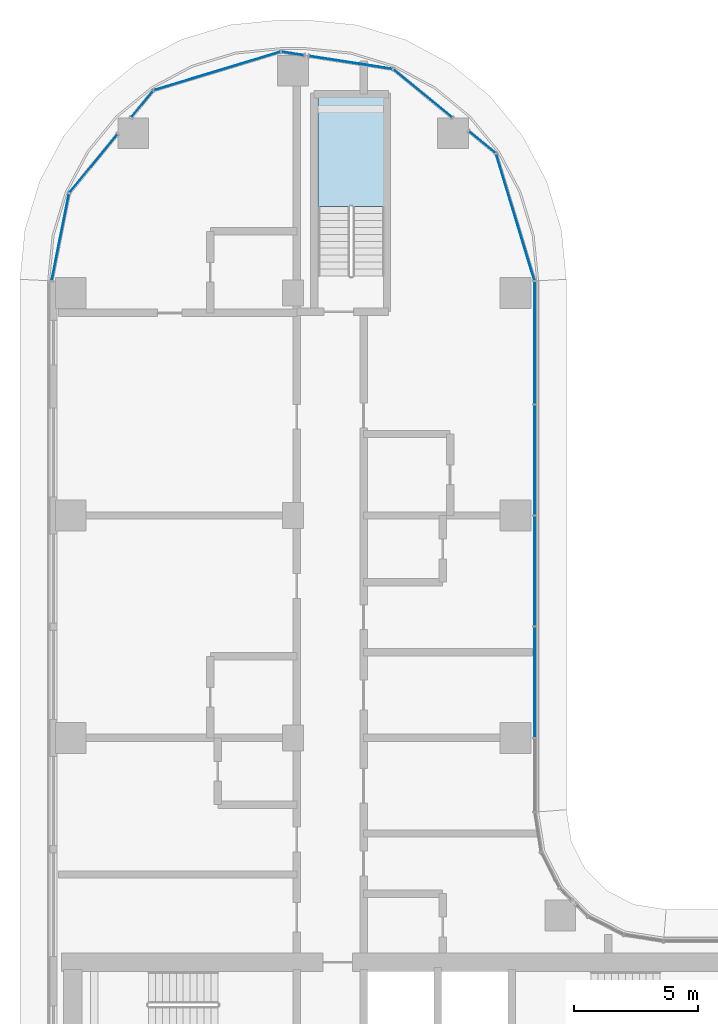
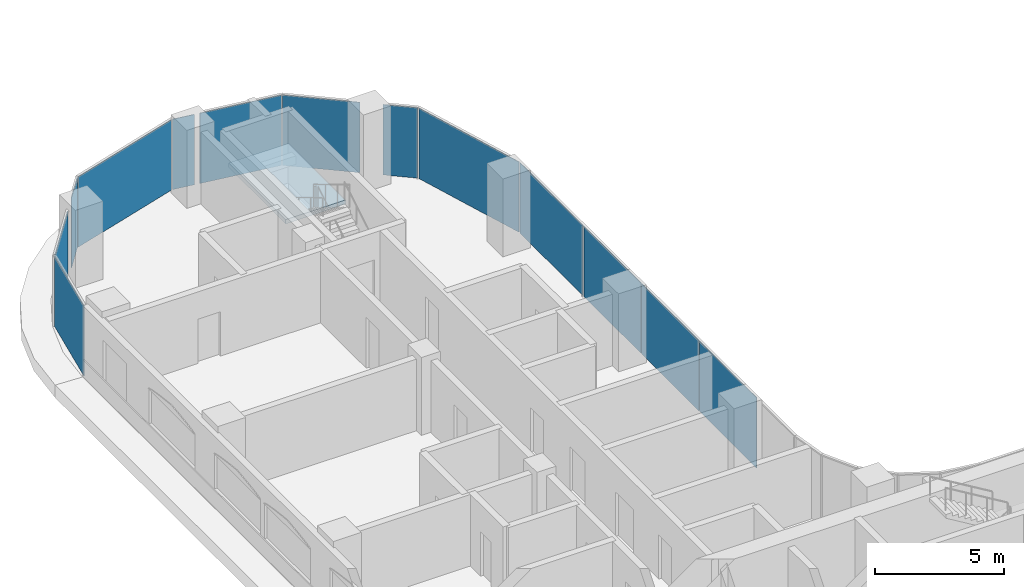
# One storey, part 17 of 40: 13 plates, 1 slab, 6 elements without a shape of their own.
"""IFC4 building model written with IfcOpenShell, lengths in metres."""

import ifcopenshell
import ifcopenshell.guid

model = None  # the IFC model being written
_history = None  # IfcOwnerHistory: only IFC2X3 demands one
_inside = {}  # id of a spatial element -> (the spatial element, [elements in it])
_under = {}  # id of a project, library or spatial element -> (it, [spatial elements below it])
_declared = {}  # id of a project -> (the project, [libraries it declares])
_typed = {}  # id of a type object -> (the type object, [elements of that type])
_made_of = {}  # id of a material, layer set ... -> (it, [elements and type objects made of it])


def new_model(schema):
    """Start an empty IFC model of exactly this schema.

    Asked for "IFC4X3", IfcOpenShell would pick the latest addendum, in which some entities
    have other attributes; the version numbers below select the first issue.
    IFC2X3 requires an IfcOwnerHistory on every rooted entity: one is made here for all.
    """
    global model, _history
    if schema == "IFC4X3":
        model = ifcopenshell.file(schema_version=(4, 3, 0, 0))
    else:
        model = ifcopenshell.file(schema=schema)
    _inside.clear()
    _under.clear()
    _declared.clear()
    _typed.clear()
    _made_of.clear()
    _history = None
    if model.schema == "IFC2X3":
        org = make("IfcOrganization", Name="unknown")
        user = make(
            "IfcPersonAndOrganization",
            ThePerson=make("IfcPerson", FamilyName="unknown"),
            TheOrganization=org,
        )
        app = make(
            "IfcApplication",
            ApplicationDeveloper=org,
            Version="unknown",
            ApplicationFullName="unknown",
            ApplicationIdentifier="unknown",
        )
        _history = make(
            "IfcOwnerHistory",
            OwningUser=user,
            OwningApplication=app,
            ChangeAction="ADDED",
            CreationDate=0,
        )
    return model


def make(cls, **values):
    """One entity of the class cls with the attributes given. An attribute that is None is left unset."""
    return model.create_entity(
        cls, **{name: value for name, value in values.items() if value is not None}
    )


def rooted(cls, **values):
    """An entity with a GlobalId (a new one), such as an element, a storey or a relation."""
    return make(cls, GlobalId=ifcopenshell.guid.new(), OwnerHistory=_history, **values)


def si_unit(unit_type, name, prefix=None):
    """IfcSIUnit, for example si_unit("LENGTHUNIT", "METRE", prefix="MILLI")."""
    return make("IfcSIUnit", UnitType=unit_type, Prefix=prefix, Name=name)


def assignment(units):
    """IfcUnitAssignment: the units of a project."""
    return None if units is None else make("IfcUnitAssignment", Units=units)


def point(xyz):
    """IfcCartesianPoint."""
    return None if xyz is None else make("IfcCartesianPoint", Coordinates=xyz)


def direction(xyz):
    """IfcDirection."""
    return None if xyz is None else make("IfcDirection", DirectionRatios=xyz)


def frame(location, z_axis=None, x_axis=None):
    """IfcAxis2Placement3D, a coordinate frame: its origin and axes. An axis left out is left unset."""
    return make(
        "IfcAxis2Placement3D",
        Location=point(location),
        Axis=direction(z_axis),
        RefDirection=direction(x_axis),
    )


def frame_2d(location, x_axis=None):
    """IfcAxis2Placement2D, a coordinate frame in the plane: its origin and x axis."""
    return make(
        "IfcAxis2Placement2D", Location=point(location), RefDirection=direction(x_axis)
    )


def origin():
    """The frame at (0, 0, 0) with its axes left unset."""
    return frame((0.0, 0.0, 0.0))


def origin_2d():
    """The frame at (0, 0) in the plane with its x axis left unset."""
    return frame_2d((0.0, 0.0))


def place(relative_to, where):
    """IfcLocalPlacement: puts the frame where relative to a parent placement (None: the world)."""
    return make(
        "IfcLocalPlacement", PlacementRelTo=relative_to, RelativePlacement=where
    )


def context(
    kind, dimensions, precision=None, world=None, true_north=None, identifier=None
):
    """IfcGeometricRepresentationContext, for example the 3D "Model" context."""
    return make(
        "IfcGeometricRepresentationContext",
        ContextIdentifier=identifier,
        ContextType=kind,
        CoordinateSpaceDimension=dimensions,
        Precision=precision,
        WorldCoordinateSystem=world,
        TrueNorth=true_north,
    )


def subcontext(parent, identifier, kind, view, scale=None):
    """IfcGeometricRepresentationSubContext, for example "Body" below "Model"."""
    return make(
        "IfcGeometricRepresentationSubContext",
        ContextIdentifier=identifier,
        ContextType=kind,
        ParentContext=parent,
        TargetScale=scale,
        TargetView=view,
    )


def project(units=None, contexts=None):
    """IfcProject with its units and contexts."""
    return rooted(
        "IfcProject",
        Name="project",
        RepresentationContexts=contexts,
        UnitsInContext=assignment(units),
    )


def spatial(cls, under=None, at=None, **own):
    """A site, building, storey or space (cls), placed at a placement, below another one or the project."""
    s = rooted(cls, ObjectPlacement=at, **own)
    if under is not None:
        _under.setdefault(under.id(), (under, []))[1].append(s)
    return s


def polyline(points):
    """IfcPolyline through the points."""
    return make("IfcPolyline", Points=[point(p) for p in points])


def profile(cls, at=None, kind="AREA", **sizes):
    """A parametric profile (cls). Its sizes go by their IFC names, for example OverallWidth=200.0."""
    return make(cls, ProfileType=kind, Position=at, **sizes)


def rectangle(**sizes):
    """IfcRectangleProfileDef."""
    return profile("IfcRectangleProfileDef", **sizes)


def outline(outer, holes=None, kind="AREA"):
    """IfcArbitraryClosedProfileDef: a profile drawn as a closed curve; with holes, ...WithVoids."""
    if holes is None:
        return make("IfcArbitraryClosedProfileDef", ProfileType=kind, OuterCurve=outer)
    return make(
        "IfcArbitraryProfileDefWithVoids",
        ProfileType=kind,
        OuterCurve=outer,
        InnerCurves=holes,
    )


def extrude(swept, where, along, depth):
    """IfcExtrudedAreaSolid: the profile swept, set in the frame where, extruded along a direction by depth."""
    return make(
        "IfcExtrudedAreaSolid",
        SweptArea=swept,
        Position=where,
        ExtrudedDirection=direction(along),
        Depth=depth,
    )


def shape(context_of_items, identifier, shape_type, items):
    """IfcShapeRepresentation: the items that make up one representation, for example the "Body"."""
    return make(
        "IfcShapeRepresentation",
        ContextOfItems=context_of_items,
        RepresentationIdentifier=identifier,
        RepresentationType=shape_type,
        Items=items,
    )


def material(Name=None, Category=None):
    """IfcMaterial."""
    return make("IfcMaterial", Name=Name, Category=Category)


def layer(
    of_material, thickness, ventilated=None, Name=None, Category=None, Priority=None
):
    """IfcMaterialLayer: one layer of a wall or slab, of a material (None: an air gap)."""
    return make(
        "IfcMaterialLayer",
        Material=of_material,
        LayerThickness=thickness,
        IsVentilated=ventilated,
        Name=Name,
        Category=Category,
        Priority=Priority,
    )


def layer_set(layers, Name=None):
    """IfcMaterialLayerSet."""
    return make("IfcMaterialLayerSet", MaterialLayers=layers, LayerSetName=Name)


def made_of(thing, what):
    """Note that an element or type object is made of a material, layer set ...; save() writes the relation."""
    if what is not None:
        _made_of.setdefault(what.id(), (what, []))[1].append(thing)
    return thing


def type_object(cls, material=None, **own):
    """A type object (cls), such as IfcWallType, which elements share."""
    return made_of(rooted(cls, **own), material)


def element(
    cls,
    number,
    at=None,
    inside=None,
    cuts=None,
    type_object=None,
    material=None,
    context=None,
    identifier="Body",
    shape_type=None,
    held_by="IfcProductDefinitionShape",
    body=None,
    shapes=None,
    **own,
):
    """One element of the class cls, such as IfcWall. Its Tag is "e" and its number.

    at: its placement. inside: the storey or other place that contains it. cuts: it is an
    opening in that element (IfcRelVoidsElement). A single representation is given by context,
    identifier, shape_type and body (its items); several are given by shapes. held_by: the class
    of the entity that holds the representations. save() writes the other relations.
    """
    e = rooted(cls, Tag="e%d" % number, ObjectPlacement=at, **own)
    if body is not None:
        shapes = [shape(context, identifier, shape_type, body)]
    if shapes is not None:
        e.Representation = make(held_by, Representations=shapes)
    if inside is not None:
        _inside.setdefault(inside.id(), (inside, []))[1].append(e)
    if cuts is not None:
        rooted(
            "IfcRelVoidsElement", RelatingBuildingElement=cuts, RelatedOpeningElement=e
        )
    if type_object is not None:
        _typed.setdefault(type_object.id(), (type_object, []))[1].append(e)
    return made_of(e, material)


def aggregate(whole, parts):
    """IfcRelAggregates: a whole, such as a stair, and the parts it consists of."""
    return rooted("IfcRelAggregates", RelatingObject=whole, RelatedObjects=parts)


def save(model, path):
    """Write the relations noted so far, then the file.

    IfcRelAggregates (storeys below a building ...), IfcRelContainedInSpatialStructure (elements
    in a storey), IfcRelDefinesByType, IfcRelAssociatesMaterial and IfcRelDeclares: one each for
    every whole, place, type object, material and project.
    """
    for whole, parts in _under.values():
        aggregate(whole, parts)
    for where, things in _inside.values():
        rooted(
            "IfcRelContainedInSpatialStructure",
            RelatedElements=things,
            RelatingStructure=where,
        )
    for kind, things in _typed.values():
        rooted("IfcRelDefinesByType", RelatedObjects=things, RelatingType=kind)
    for what, things in _made_of.values():
        rooted("IfcRelAssociatesMaterial", RelatedObjects=things, RelatingMaterial=what)
    for by, libraries in _declared.values():
        rooted("IfcRelDeclares", RelatingContext=by, RelatedDefinitions=libraries)
    model.write(path)


model = new_model("IFC4")

# Units and contexts
model_context = context("Model", 3, precision=1e-05, world=origin(), true_north=direction((0.0, 1.0)))
body_context = subcontext(model_context, "Body", "Model", "MODEL_VIEW")
ifc_project = project(units=[si_unit("LENGTHUNIT", "METRE"), si_unit("AREAUNIT", "SQUARE_METRE"), si_unit("VOLUMEUNIT", "CUBIC_METRE"), si_unit("PLANEANGLEUNIT", "RADIAN"), si_unit("MASSUNIT", "GRAM", prefix="KILO")], contexts=[model_context])

# Site, building, storey
site_placement = place(None, origin())
site = spatial("IfcSite", under=ifc_project, at=site_placement, CompositionType="ELEMENT")
building_placement = place(site_placement, origin())
building = spatial("IfcBuilding", under=site, at=building_placement, Name="Ogive Portal Towers", CompositionType="ELEMENT")
storey_placement = place(building_placement, frame((0.0, 0.0, 87.10009765625)))
storey = spatial("IfcBuildingStorey", under=building, at=storey_placement, Name="L20", CompositionType="ELEMENT", Elevation=87.10009765625)

# Curtain wall, plates
ifc_material_1 = material(Name="Glass, clear low-iron insulated glazing", Category="glass")
curtain_wall_type = type_object("IfcCurtainWallType", Name="CW FRONT RIBBON 4500", PredefinedType="NOTDEFINED", material=ifc_material_1)
curtain_wall_1_placement = place(storey_placement, origin())
curtain_wall_1 = element("IfcCurtainWall", 1, at=curtain_wall_1_placement, inside=storey, type_object=curtain_wall_type, Name="A:L20:f17:cw0", PredefinedType="NOTDEFINED")
ifc_layer_1 = layer(ifc_material_1, 0.028076171875)
ifc_layer_set_1 = layer_set([ifc_layer_1], Name="CW PANEL IGU 28")
plate_type = type_object("IfcPlateType", Name="CW PANEL IGU 28", PredefinedType="CURTAIN_PANEL", material=ifc_layer_set_1)
plate_1_placement = place(storey_placement, frame((50.27490234375, 50.75, 0.0), z_axis=(0.0, 0.0, 1.0), x_axis=(0.0, 1.0, 0.0)))
plate_1 = element("IfcPlate", 2, at=plate_1_placement, type_object=plate_type, Name="panel", PredefinedType="CURTAIN_PANEL", context=body_context, shape_type="SweptSolid", body=[
    extrude(rectangle(XDim=4.43994140625, YDim=0.028076171875, at=origin_2d()), origin(), (0.0, 0.0, 1.0), 3.340087890625),
])
plate_2_placement = place(storey_placement, frame((50.27490234375, 55.25, 0.0), z_axis=(0.0, 0.0, 1.0), x_axis=(0.0, 1.0, 0.0)))
plate_2 = element("IfcPlate", 3, at=plate_2_placement, type_object=plate_type, Name="panel", PredefinedType="CURTAIN_PANEL", context=body_context, shape_type="SweptSolid", body=[
    extrude(rectangle(XDim=4.43994140625, YDim=0.028076171875, at=origin_2d()), origin(), (0.0, 0.0, 1.0), 3.340087890625),
])
plate_3_placement = place(storey_placement, frame((50.27490234375, 59.75, 0.0), z_axis=(0.0, 0.0, 1.0), x_axis=(0.0, 1.0, 0.0)))
plate_3 = element("IfcPlate", 4, at=plate_3_placement, type_object=plate_type, Name="panel", PredefinedType="CURTAIN_PANEL", context=body_context, shape_type="SweptSolid", body=[
    extrude(rectangle(XDim=4.43994140625, YDim=0.028076171875, at=origin_2d()), origin(), (0.0, 0.0, 1.0), 3.340087890625),
])
plate_4_placement = place(storey_placement, frame((50.27490234375, 64.494140625, 0.0), z_axis=(0.0, 0.0, 1.0), x_axis=(0.0, 1.0, 0.0)))
plate_4 = element("IfcPlate", 5, at=plate_4_placement, type_object=plate_type, Name="panel", PredefinedType="CURTAIN_PANEL", context=body_context, shape_type="SweptSolid", body=[
    extrude(rectangle(XDim=4.92822265625, YDim=0.028076171875, at=origin_2d()), origin(), (0.0, 0.0, 1.0), 3.340087890625),
])
aggregate(curtain_wall_1, [plate_1, plate_2, plate_3, plate_4])

curtain_wall_2_placement = place(storey_placement, origin())
curtain_wall_2 = element("IfcCurtainWall", 6, at=curtain_wall_2_placement, inside=storey, type_object=curtain_wall_type, Name="A:L20:f18:cwa~0", PredefinedType="NOTDEFINED")
plate_5_placement = place(storey_placement, frame((49.491943359375, 69.569580078125, 0.0), z_axis=(0.0, 0.0, 1.0), x_axis=(-0.290284677254, 0.956940335732, 0.0)))
plate_5 = element("IfcPlate", 7, at=plate_5_placement, type_object=plate_type, Name="panel", PredefinedType="CURTAIN_PANEL", context=body_context, shape_type="SweptSolid", body=[
    extrude(rectangle(XDim=5.335205078125, YDim=0.028076171875, at=origin_2d()), origin(), (0.0, 0.0, 1.0), 3.340087890625),
])
plate_6_placement = place(storey_placement, frame((48.153564453125, 72.606689453125, 0.0), z_axis=(0.0, 0.0, 1.0), x_axis=(-0.773010453363, 0.634393284164, 0.0)))
plate_6 = element("IfcPlate", 8, at=plate_6_placement, type_object=plate_type, Name="panel", PredefinedType="CURTAIN_PANEL", context=body_context, shape_type="SweptSolid", body=[
    extrude(rectangle(XDim=1.377197265625, YDim=0.028076171875, at=origin_2d()), origin(), (0.0, 0.0, 1.0), 3.340087890625),
])
aggregate(curtain_wall_2, [plate_5, plate_6])

curtain_wall_3_placement = place(storey_placement, origin())
curtain_wall_3 = element("IfcCurtainWall", 9, at=curtain_wall_3_placement, inside=storey, type_object=curtain_wall_type, Name="A:L20:f18:cwa~1", PredefinedType="NOTDEFINED")
plate_7_placement = place(storey_placement, frame((45.745849609375, 74.58251953125, 0.0), z_axis=(0.0, 0.0, 1.0), x_axis=(-0.773010453363, 0.634393284164, 0.0)))
plate_7 = element("IfcPlate", 10, at=plate_7_placement, type_object=plate_type, Name="panel", PredefinedType="CURTAIN_PANEL", context=body_context, shape_type="SweptSolid", body=[
    extrude(rectangle(XDim=3.0439453125, YDim=0.028076171875, at=origin_2d()), origin(), (0.0, 0.0, 1.0), 3.340087890625),
])
plate_8_placement = place(storey_placement, frame((42.83544921875, 75.833251953125, 0.0), z_axis=(0.0, 0.0, 1.0), x_axis=(-0.988127542509, 0.153635802256, 0.0)))
plate_8 = element("IfcPlate", 11, at=plate_8_placement, type_object=plate_type, Name="panel", PredefinedType="CURTAIN_PANEL", context=body_context, shape_type="SweptSolid", body=[
    extrude(rectangle(XDim=3.40234375, YDim=0.028076171875, at=origin_2d()), origin(), (0.0, 0.0, 1.0), 3.340087890625),
])
aggregate(curtain_wall_3, [plate_7, plate_8])

curtain_wall_4_placement = place(storey_placement, origin())
curtain_wall_4 = element("IfcCurtainWall", 12, at=curtain_wall_4_placement, inside=storey, type_object=curtain_wall_type, Name="A:L20:f18:cwa~2", PredefinedType="NOTDEFINED")
plate_9_placement = place(storey_placement, frame((40.482177734375, 76.198974609375, 0.0), z_axis=(0.0, 0.0, 1.0), x_axis=(-0.988127542509, 0.153635802256, 0.0)))
plate_9 = element("IfcPlate", 13, at=plate_9_placement, type_object=plate_type, Name="panel", PredefinedType="CURTAIN_PANEL", context=body_context, shape_type="SweptSolid", body=[
    extrude(rectangle(XDim=0.904296875, YDim=0.028076171875, at=origin_2d()), origin(), (0.0, 0.0, 1.0), 3.340087890625),
])
plate_10_placement = place(storey_placement, frame((37.427490234375, 75.490966796875, 0.0), z_axis=(0.0, 0.0, 1.0), x_axis=(-0.956940335732, -0.290284677254, 0.0)))
plate_10 = element("IfcPlate", 14, at=plate_10_placement, type_object=plate_type, Name="panel", PredefinedType="CURTAIN_PANEL", context=body_context, shape_type="SweptSolid", body=[
    extrude(rectangle(XDim=5.32861328125, YDim=0.028076171875, at=origin_2d()), origin(), (0.0, 0.0, 1.0), 3.340087890625),
])
plate_11_placement = place(storey_placement, frame((34.393310546875, 74.153564453125, 0.0), z_axis=(0.0, 0.0, 1.0), x_axis=(-0.634393284164, -0.773010453363, 0.0)))
plate_11 = element("IfcPlate", 15, at=plate_11_placement, type_object=plate_type, Name="panel", PredefinedType="CURTAIN_PANEL", context=body_context, shape_type="SweptSolid", body=[
    extrude(rectangle(XDim=1.377197265625, YDim=0.028076171875, at=origin_2d()), origin(), (0.0, 0.0, 1.0), 3.340087890625),
])
aggregate(curtain_wall_4, [plate_9, plate_10, plate_11])

curtain_wall_5_placement = place(storey_placement, origin())
curtain_wall_5 = element("IfcCurtainWall", 16, at=curtain_wall_5_placement, inside=storey, type_object=curtain_wall_type, Name="A:L20:f18:cwa~3", PredefinedType="NOTDEFINED")
plate_12_placement = place(storey_placement, frame((32.416748046875, 71.7451171875, 0.0), z_axis=(0.0, 0.0, 1.0), x_axis=(-0.634393284164, -0.773010453363, 0.0)))
plate_12 = element("IfcPlate", 17, at=plate_12_placement, type_object=plate_type, Name="panel", PredefinedType="CURTAIN_PANEL", context=body_context, shape_type="SweptSolid", body=[
    extrude(rectangle(XDim=3.0458984375, YDim=0.028076171875, at=origin_2d()), origin(), (0.0, 0.0, 1.0), 3.340087890625),
])
plate_13_placement = place(storey_placement, frame((31.078369140625, 68.768310546875, 0.0), z_axis=(0.0, 0.0, 1.0), x_axis=(-0.195090322016, -0.980785280403, 0.0)))
plate_13 = element("IfcPlate", 18, at=plate_13_placement, type_object=plate_type, Name="panel", PredefinedType="CURTAIN_PANEL", context=body_context, shape_type="SweptSolid", body=[
    extrude(rectangle(XDim=3.562255859375, YDim=0.028076171875, at=origin_2d()), origin(), (0.0, 0.0, 1.0), 3.340087890625),
])
aggregate(curtain_wall_5, [plate_12, plate_13])

# Stair, slab
ifc_material_2 = material(Name="Concrete C40/50", Category="concrete")
stair_type = type_object("IfcStairType", Name="INT-STAIR", PredefinedType="HALF_TURN_STAIR", material=ifc_material_2)
stair_placement = place(storey_placement, origin())
stair = element("IfcStair", 19, at=stair_placement, inside=storey, type_object=stair_type, Name="L20 Exit Stair ST-A3", PredefinedType="HALF_TURN_STAIR")
ifc_layer_2 = layer(ifc_material_2, 0.199951171875)
ifc_layer_set_2 = layer_set([ifc_layer_2], Name="INT-LANDING")
slab_type = type_object("IfcSlabType", Name="INT-LANDING", PredefinedType="LANDING", material=ifc_layer_set_2)
slab_placement = place(storey_placement, frame((0.0, 0.0, 1.64990234375)))
slab = element("IfcSlab", 20, at=slab_placement, type_object=slab_type, Name="ST-A3 landing 1", PredefinedType="LANDING", context=body_context, shape_type="SweptSolid", body=[
    extrude(outline(polyline([(44.199951171875, 70.0), (44.199951171875, 74.449951171875), (41.5, 74.449951171875), (41.5, 70.0), (44.199951171875, 70.0)])), origin(), (0.0, 0.0, 1.0), 0.199951171875),
])
aggregate(stair, [slab])

save(model, "model.ifc")
